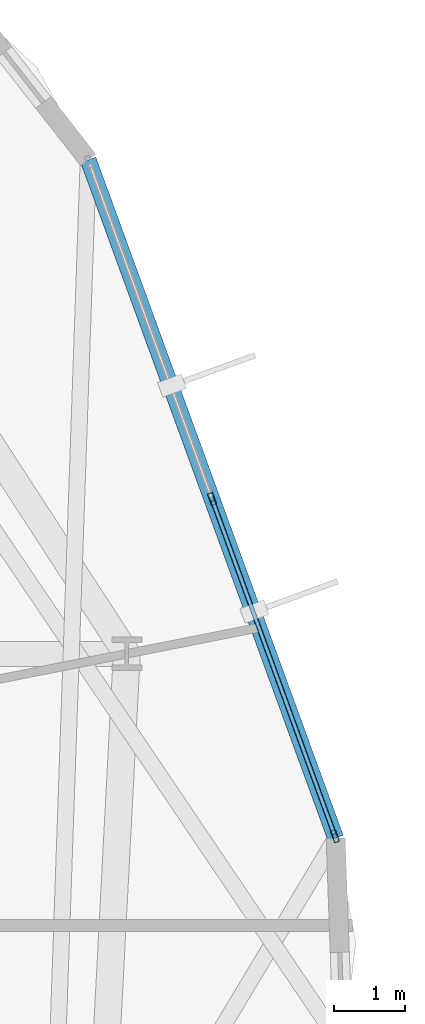
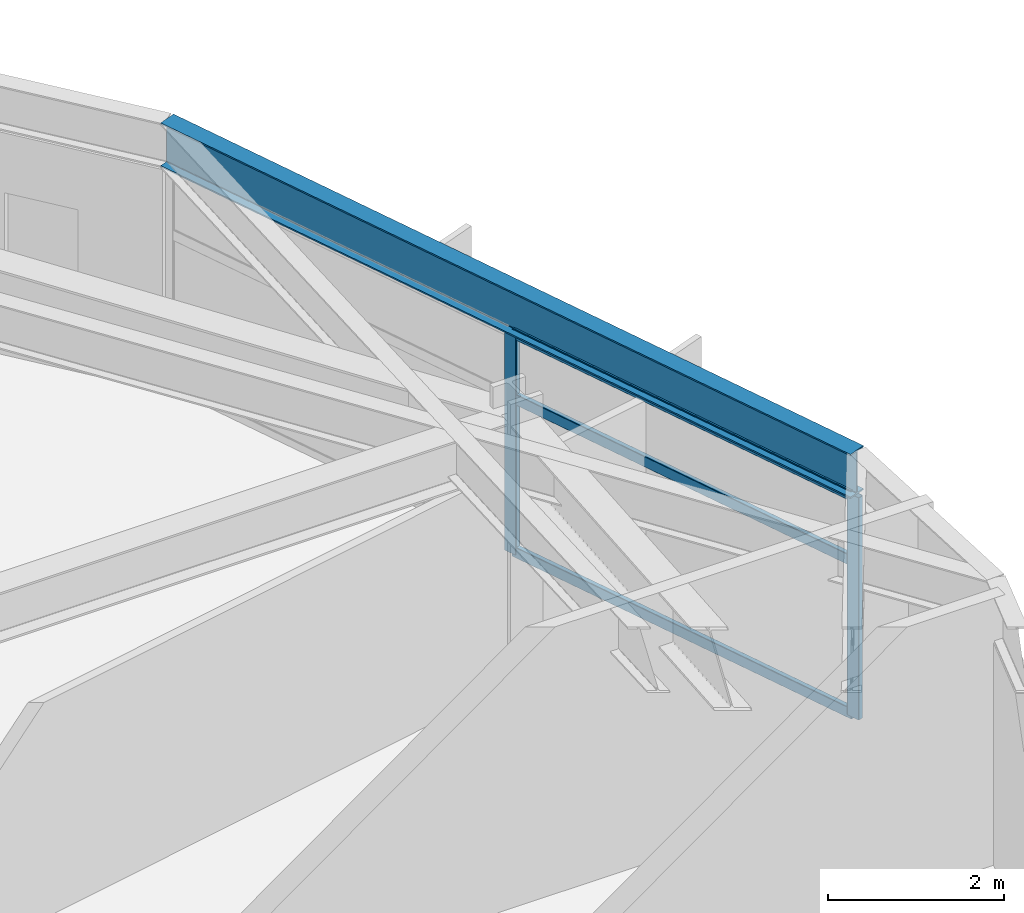
# One storey, part 11 of 21: 5 members, 1 beam, 1 element without a shape of its own.
"""IFC4 building model written with IfcOpenShell, lengths in metres."""

from ifc_helpers import new_model, si_unit, direction, frame, origin, origin_2d, place, context, subcontext, project, spatial, hollow_rectangle, i_section, extrude, material, layer, layer_set, material_profile, profile_set, type_object, element, aggregate, save


model = new_model("IFC4")

# Units and contexts
model_context = context("Model", 3, precision=1e-05, world=origin(), true_north=direction((0.0, 1.0)))
body_context = subcontext(model_context, "Body", "Model", "MODEL_VIEW")
ifc_project = project(units=[si_unit("LENGTHUNIT", "METRE"), si_unit("AREAUNIT", "SQUARE_METRE"), si_unit("VOLUMEUNIT", "CUBIC_METRE"), si_unit("PLANEANGLEUNIT", "RADIAN"), si_unit("MASSUNIT", "GRAM", prefix="KILO")], contexts=[model_context])

# Site, building, storey
site_placement = place(None, origin())
site = spatial("IfcSite", under=ifc_project, at=site_placement, CompositionType="ELEMENT")
building_placement = place(site_placement, origin())
building = spatial("IfcBuilding", under=site, at=building_placement, Name="Soratama Intermodal Tower", CompositionType="ELEMENT")
storey_placement = place(building_placement, frame((0.0, 0.0, 34.60009765625)))
storey = spatial("IfcBuildingStorey", under=building, at=storey_placement, Name="L07", CompositionType="ELEMENT", Elevation=34.60009765625)

# Beam
ifc_material_1 = material(Name="Structural steel ASTM A992 Grade 50", Category="steel")
ifc_material_profile_1 = material_profile(ifc_material_1, i_section(OverallWidth=0.22900390625, OverallDepth=0.612060546875, WebThickness=0.011962890625, FlangeThickness=0.01953125, FilletRadius=0.012939453125, at=origin_2d()), Name="W24X84")
ifc_profile_set_1 = profile_set([ifc_material_profile_1], Name="Structural steel ASTM A992 Grade 50")
beam_type = type_object("IfcBeamType", Name="BM-SPN-W24X84", PredefinedType="SPANDREL", material=ifc_profile_set_1)
beam_placement = place(storey_placement, frame((66.0400390625, 27.23388671875, 3.393798828125), z_axis=(-0.342655638764, 0.939461075949, 0.0), x_axis=(-0.939461075949, -0.342655638764, 0.0)))
element("IfcBeam", 1, at=beam_placement, inside=storey, type_object=beam_type, Name="BS-L07-F01", PredefinedType="SPANDREL", context=body_context, shape_type="SweptSolid", body=[
    extrude(i_section(OverallWidth=0.22900390625, OverallDepth=0.612060546875, WebThickness=0.011962890625, FlangeThickness=0.01953125, FilletRadius=0.012939453125, at=origin_2d()), origin(), (0.0, 0.0, 1.0), 10.222900390625),
])

# Curtain wall, members
ifc_material_2 = material(Name="Double-glazed aluminium curtain wall", Category="aluminium")
ifc_layer = layer(ifc_material_2, 0.159912109375)
ifc_layer_set = layer_set([ifc_layer], Name="Double-glazed aluminium curtain wall")
curtain_wall_type = type_object("IfcCurtainWallType", Name="CW-SYS-2", PredefinedType="NOTDEFINED", material=ifc_layer_set)
curtain_wall_placement = place(storey_placement, origin())
curtain_wall = element("IfcCurtainWall", 2, at=curtain_wall_placement, inside=storey, type_object=curtain_wall_type, Name="L07 Faceted Curtain Wall F01", PredefinedType="NOTDEFINED")
ifc_material_3 = material(Name="Anodised aluminium AA 6063-T6", Category="aluminium")
ifc_material_profile_2 = material_profile(ifc_material_3, hollow_rectangle(XDim=0.074951171875, YDim=0.179931640625, WallThickness=0.006103515625, InnerFilletRadius=0.006103515625, OuterFilletRadius=0.011962890625, at=origin_2d()), Name="CWM180X75X6")
ifc_profile_set_2 = profile_set([ifc_material_profile_2], Name="Anodised aluminium AA 6063-T6")
member_type_1 = type_object("IfcMemberType", Name="MT-CWM-2", PredefinedType="MULLION", material=ifc_profile_set_2)
member_1_placement = place(storey_placement, frame((66.02978515625, 27.261962890625, 0.0), z_axis=(0.0, 0.0, 1.0), x_axis=(-0.939452518912, -0.342679098735, 0.0)))
member_1 = element("IfcMember", 3, at=member_1_placement, type_object=member_type_1, Name="CW-2 mullion 1", PredefinedType="MULLION", context=body_context, shape_type="SweptSolid", body=[
    extrude(hollow_rectangle(XDim=0.074951171875, YDim=0.179931640625, WallThickness=0.006103515625, InnerFilletRadius=0.006103515625, OuterFilletRadius=0.011962890625, at=origin_2d()), origin(), (0.0, 0.0, 1.0), 3.078857421875),
])
member_2_placement = place(storey_placement, frame((64.28857421875, 32.03564453125, 0.0), z_axis=(0.0, 0.0, 1.0), x_axis=(-0.939452518912, -0.342679098735, 0.0)))
member_2 = element("IfcMember", 4, at=member_2_placement, type_object=member_type_1, Name="CW-2 mullion 2", PredefinedType="MULLION", context=body_context, shape_type="SweptSolid", body=[
    extrude(hollow_rectangle(XDim=0.074951171875, YDim=0.179931640625, WallThickness=0.006103515625, InnerFilletRadius=0.006103515625, OuterFilletRadius=0.011962890625, at=origin_2d()), origin(), (0.0, 0.0, 1.0), 3.078857421875),
])
ifc_material_4 = material(Name="Anodised aluminium AA 6063-T6", Category="aluminium")
ifc_material_profile_3 = material_profile(ifc_material_4, hollow_rectangle(XDim=0.06494140625, YDim=0.14990234375, WallThickness=0.0048828125, InnerFilletRadius=0.0048828125, OuterFilletRadius=0.010009765625, at=origin_2d()), Name="CWT150X65X5")
ifc_profile_set_3 = profile_set([ifc_material_profile_3], Name="Anodised aluminium AA 6063-T6")
member_type_2 = type_object("IfcMemberType", Name="TT-CWT-1", PredefinedType="USERDEFINED", material=ifc_profile_set_3)
member_3_placement = place(storey_placement, frame((66.01953125, 27.2900390625, 0.02978515625), z_axis=(-0.342664168865, 0.939457964667, 0.0), x_axis=(-0.939457964667, -0.342664168865, 0.0)))
member_3 = element("IfcMember", 5, at=member_3_placement, type_object=member_type_2, Name="CW-2 transom 1.1", ObjectType="TRANSOM", PredefinedType="USERDEFINED", context=body_context, shape_type="SweptSolid", body=[
    extrude(hollow_rectangle(XDim=0.06494140625, YDim=0.14990234375, WallThickness=0.0048828125, InnerFilletRadius=0.0048828125, OuterFilletRadius=0.010009765625, at=origin_2d()), origin(), (0.0, 0.0, 1.0), 5.021484375),
])
member_4_placement = place(storey_placement, frame((66.01953125, 27.2900390625, 2.14990234375), z_axis=(-0.342664168865, 0.939457964667, 0.0), x_axis=(-0.939457964667, -0.342664168865, 0.0)))
member_4 = element("IfcMember", 6, at=member_4_placement, type_object=member_type_2, Name="CW-2 transom 1.2", ObjectType="TRANSOM", PredefinedType="USERDEFINED", context=body_context, shape_type="SweptSolid", body=[
    extrude(hollow_rectangle(XDim=0.06494140625, YDim=0.14990234375, WallThickness=0.0048828125, InnerFilletRadius=0.0048828125, OuterFilletRadius=0.010009765625, at=origin_2d()), origin(), (0.0, 0.0, 1.0), 5.021484375),
])
member_5_placement = place(storey_placement, frame((66.01953125, 27.2900390625, 3.048828125), z_axis=(-0.342664168865, 0.939457964667, 0.0), x_axis=(-0.939457964667, -0.342664168865, 0.0)))
member_5 = element("IfcMember", 7, at=member_5_placement, type_object=member_type_2, Name="CW-2 transom 1.3", ObjectType="TRANSOM", PredefinedType="USERDEFINED", context=body_context, shape_type="SweptSolid", body=[
    extrude(hollow_rectangle(XDim=0.06494140625, YDim=0.14990234375, WallThickness=0.0048828125, InnerFilletRadius=0.0048828125, OuterFilletRadius=0.010009765625, at=origin_2d()), origin(), (0.0, 0.0, 1.0), 5.021484375),
])
aggregate(curtain_wall, [member_1, member_2, member_3, member_4, member_5])

save(model, "model.ifc")
